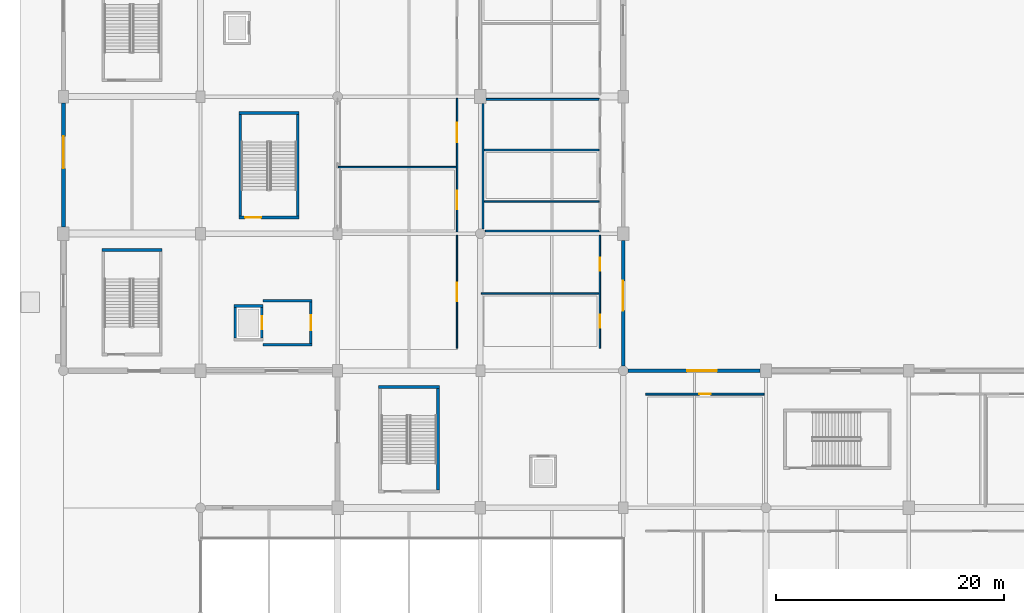
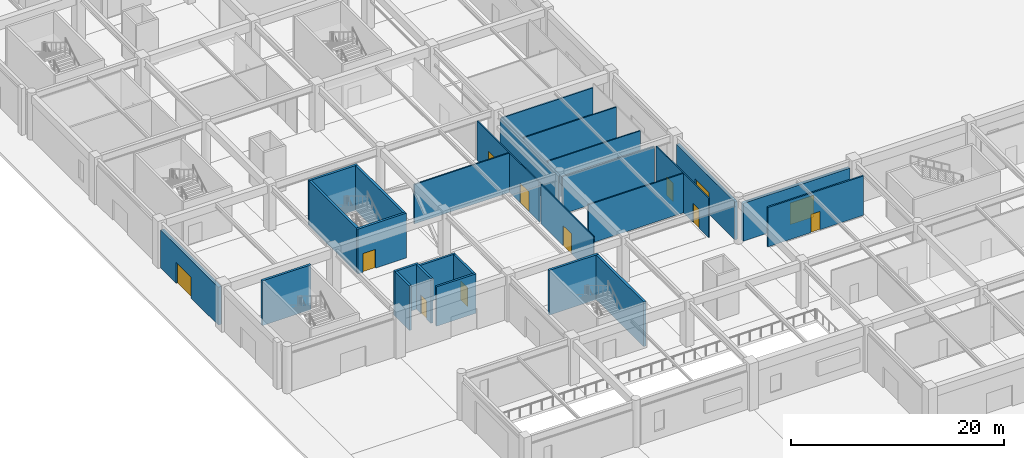
# One storey, part 15 of 69: 27 walls, 12 doors, 12 openings.
"""IFC4 building model written with IfcOpenShell, lengths in metres."""

from ifc_helpers import new_model, si_unit, direction, frame, frame_2d, origin, place, context, subcontext, project, spatial, rectangle, extrude, material, layer, layer_set, type_object, element, fill, save


model = new_model("IFC4")

# Units and contexts
model_context = context("Model", 3, precision=1e-05, world=origin(), true_north=direction((0.0, 1.0)))
body_context = subcontext(model_context, "Body", "Model", "MODEL_VIEW")
ifc_project = project(units=[si_unit("LENGTHUNIT", "METRE"), si_unit("AREAUNIT", "SQUARE_METRE"), si_unit("VOLUMEUNIT", "CUBIC_METRE"), si_unit("PLANEANGLEUNIT", "RADIAN"), si_unit("MASSUNIT", "GRAM", prefix="KILO")], contexts=[model_context])

# Site, building, storey
site_placement = place(None, origin())
site = spatial("IfcSite", under=ifc_project, at=site_placement, CompositionType="ELEMENT")
building_placement = place(site_placement, origin())
building = spatial("IfcBuilding", under=site, at=building_placement, Name="Kazenohara Klinker Stadium", CompositionType="ELEMENT")
storey_placement = place(building_placement, origin())
storey = spatial("IfcBuildingStorey", under=building, at=storey_placement, Name="L00", CompositionType="ELEMENT", Elevation=0.0)

# Walls
ifc_material_1 = material(Name="Concrete C40/50", Category="concrete")
ifc_layer_1 = layer(ifc_material_1, 0.22998046875)
ifc_layer_set_1 = layer_set([ifc_layer_1], Name="Concrete C40/50")
wall_type_1 = type_object("IfcWallType", Name="WAL-CORE-230", PredefinedType="SHEAR", material=ifc_layer_set_1)
wall_1_placement = place(storey_placement, frame((14.919921875, 41.6650390625, 0.0), z_axis=(0.0, 0.0, 1.0), x_axis=(1.0, 0.0, 0.0)))
element("IfcWall", 1, at=wall_1_placement, inside=storey, type_object=wall_type_1, Name="Elevator shaft wall LF01 L00 North", PredefinedType="SHEAR", context=body_context, shape_type="SweptSolid", body=[
    extrude(rectangle(XDim=2.56005859375, YDim=0.22998046875, at=frame_2d((1.280029296875, 0.0))), origin(), (0.0, 0.0, 1.0), 5.139892578125),
])
wall_2_placement = place(storey_placement, frame((15.034912109375, 38.85009765625, 0.0), z_axis=(0.0, 0.0, 1.0), x_axis=(0.0, 1.0, 0.0)))
element("IfcWall", 2, at=wall_2_placement, inside=storey, type_object=wall_type_1, Name="Elevator shaft wall LF01 L00 West", PredefinedType="SHEAR", context=body_context, shape_type="SweptSolid", body=[
    extrude(rectangle(XDim=2.699951171875, YDim=0.22998046875, at=frame_2d((1.35009765625, 0.0))), origin(), (0.0, 0.0, 1.0), 5.139892578125),
])

# Wall, opening, door
wall_3_placement = place(storey_placement, frame((17.364990234375, 38.85009765625, 0.0), z_axis=(0.0, 0.0, 1.0), x_axis=(0.0, 1.0, 0.0)))
wall_3 = element("IfcWall", 3, at=wall_3_placement, inside=storey, type_object=wall_type_1, Name="Elevator shaft wall LF01 L00 East", PredefinedType="SHEAR", context=body_context, shape_type="SweptSolid", body=[
    extrude(rectangle(XDim=2.699951171875, YDim=0.22998046875, at=frame_2d((1.35009765625, 0.0))), origin(), (0.0, 0.0, 1.0), 5.139892578125),
])
opening_1_placement = place(wall_3_placement, frame((0.800048828125, 0.0, 0.0)))
opening_1 = element("IfcOpeningElement", 4, at=opening_1_placement, cuts=wall_3, Name="Opening LD01", PredefinedType="OPENING", context=body_context, shape_type="SweptSolid", body=[
    extrude(rectangle(XDim=1.10009765625, YDim=2.14990234375, at=frame_2d((0.550048828125, 1.074951171875))), frame((0.0, 0.125, 0.0), z_axis=(0.0, -1.0, 0.0), x_axis=(1.0, 0.0, 0.0)), (0.0, 0.0, 1.0), 0.25),
])
ifc_material_2 = material(Name="Stainless steel fire-rated sliding landing door", Category="steel")
door_type_1 = type_object("IfcDoorType", Name="DR-LD01-1100x2150", OperationType="NOTDEFINED", PredefinedType="DOOR", material=ifc_material_2)
door_1_placement = place(opening_1_placement, origin())
door_1 = element("IfcDoor", 5, at=door_1_placement, inside=storey, type_object=door_type_1, Name="Elevator sliding landing door LF01-L00", OperationType="DOUBLE_DOOR_SLIDING", OverallHeight=2.14990234375, OverallWidth=1.10009765625, PredefinedType="DOOR", context=body_context, shape_type="SweptSolid", body=[
    extrude(rectangle(XDim=1.10009765625, YDim=2.14990234375, at=frame_2d((0.550048828125, 1.074951171875))), frame((0.0, 0.02490234375, 0.0), z_axis=(0.0, -1.0, 0.0), x_axis=(1.0, 0.0, 0.0)), (0.0, 0.0, 1.0), 0.050048828125),
])
fill(opening_1, door_1)

# Walls
ifc_layer_2 = layer(ifc_material_1, 0.25)
ifc_layer_set_2 = layer_set([ifc_layer_2], Name="Concrete C40/50")
wall_type_2 = type_object("IfcWallType", Name="WAL-CORE-250", PredefinedType="SHEAR", material=ifc_layer_set_2)
wall_4_placement = place(storey_placement, frame((3.360107421875, 46.574951171875, 0.0), z_axis=(0.0, 0.0, 1.0), x_axis=(1.0, 0.0, 0.0)))
element("IfcWall", 6, at=wall_4_placement, inside=storey, type_object=wall_type_2, Name="Stairwell shear wall ST01 L00 North", PredefinedType="SHEAR", context=body_context, shape_type="SweptSolid", body=[
    extrude(rectangle(XDim=5.27978515625, YDim=0.25, at=frame_2d((2.639892578125, 0.0))), origin(), (0.0, 0.0, 1.0), 5.139892578125),
])
wall_5_placement = place(storey_placement, frame((27.580078125, 34.574951171875, 0.0), z_axis=(0.0, 0.0, 1.0), x_axis=(1.0, 0.0, 0.0)))
element("IfcWall", 7, at=wall_5_placement, inside=storey, type_object=wall_type_2, Name="Stairwell shear wall ST07 L00 North", PredefinedType="SHEAR", context=body_context, shape_type="SweptSolid", body=[
    extrude(rectangle(XDim=5.33984375, YDim=0.25, at=frame_2d((2.669921875, 0.0))), origin(), (0.0, 0.0, 1.0), 5.139892578125),
])
wall_6_placement = place(storey_placement, frame((32.794921875, 25.550048828125, 0.0), z_axis=(0.0, 0.0, 1.0), x_axis=(0.0, 1.0, 0.0)))
element("IfcWall", 8, at=wall_6_placement, inside=storey, type_object=wall_type_2, Name="Stairwell shear wall ST07 L00 East", PredefinedType="SHEAR", context=body_context, shape_type="SweptSolid", body=[
    extrude(rectangle(XDim=8.89990234375, YDim=0.25, at=frame_2d((4.449951171875, 0.0))), origin(), (0.0, 0.0, 1.0), 5.139892578125),
])

# Wall, opening, door
wall_7_placement = place(storey_placement, frame((15.360107421875, 49.425048828125, 0.0), z_axis=(0.0, 0.0, 1.0), x_axis=(1.0, 0.0, 0.0)))
wall_7 = element("IfcWall", 9, at=wall_7_placement, inside=storey, type_object=wall_type_2, Name="Stairwell shear wall ST13 L00 South", PredefinedType="SHEAR", context=body_context, shape_type="SweptSolid", body=[
    extrude(rectangle(XDim=5.27978515625, YDim=0.25, at=frame_2d((2.639892578125, 0.0))), origin(), (0.0, 0.0, 1.0), 5.139892578125),
])
opening_2_placement = place(wall_7_placement, frame((0.550048828125, 0.0, 0.0)))
opening_2 = element("IfcOpeningElement", 10, at=opening_2_placement, cuts=wall_7, Name="Opening SD01", PredefinedType="OPENING", context=body_context, shape_type="SweptSolid", body=[
    extrude(rectangle(XDim=1.39990234375, YDim=2.14990234375, at=frame_2d((0.699951171875, 1.074951171875))), frame((0.0, 0.135009765625, 0.0), z_axis=(0.0, -1.0, 0.0), x_axis=(1.0, 0.0, 0.0)), (0.0, 0.0, 1.0), 0.27001953125),
])
ifc_material_3 = material(Name="Flush painted steel fire door leaf", Category="steel")
door_type_2 = type_object("IfcDoorType", Name="DR-STR-1400x2150", OperationType="NOTDEFINED", PredefinedType="DOOR", material=ifc_material_3)
door_2_placement = place(opening_2_placement, origin())
door_2 = element("IfcDoor", 11, at=door_2_placement, inside=storey, type_object=door_type_2, Name="Escape stairwell fire door ST13-L00", OperationType="SINGLE_SWING_LEFT", OverallHeight=2.14990234375, OverallWidth=1.39990234375, PredefinedType="DOOR", context=body_context, shape_type="SweptSolid", body=[
    extrude(rectangle(XDim=1.39990234375, YDim=2.14990234375, at=frame_2d((0.699951171875, 1.074951171875))), frame((0.0, 0.02490234375, 0.0), z_axis=(0.0, -1.0, 0.0), x_axis=(1.0, 0.0, 0.0)), (0.0, 0.0, 1.0), 0.050048828125),
])
fill(opening_2, door_2)

# Walls
wall_8_placement = place(storey_placement, frame((15.360107421875, 58.574951171875, 0.0), z_axis=(0.0, 0.0, 1.0), x_axis=(1.0, 0.0, 0.0)))
element("IfcWall", 12, at=wall_8_placement, inside=storey, type_object=wall_type_2, Name="Stairwell shear wall ST13 L00 North", PredefinedType="SHEAR", context=body_context, shape_type="SweptSolid", body=[
    extrude(rectangle(XDim=5.27978515625, YDim=0.25, at=frame_2d((2.639892578125, 0.0))), origin(), (0.0, 0.0, 1.0), 5.139892578125),
])
for number, where, z_axis, x_axis, name in (
    (13, (15.485107421875, 49.550048828125, 0.0), (0.0, 0.0, 1.0), (0.0, 1.0, 0.0), "Stairwell shear wall ST13 L00 West"),
    (14, (20.514892578125, 49.550048828125, 0.0), (0.0, 0.0, 1.0), (0.0, 1.0, 0.0), "Stairwell shear wall ST13 L00 East"),
):
    element("IfcWall", number, at=place(storey_placement, frame(where, z_axis=z_axis, x_axis=x_axis)), inside=storey, type_object=wall_type_2, Name=name, PredefinedType="SHEAR", context=body_context, shape_type="SweptSolid", body=[
        extrude(rectangle(XDim=8.89990234375, YDim=0.25, at=frame_2d((4.449951171875, 0.0))), origin(), (0.0, 0.0, 1.0), 5.139892578125),
    ])

# Wall, opening, door
ifc_material_4 = material(Name="Clinker brick masonry", Category="masonry")
ifc_layer_3 = layer(ifc_material_4, 0.31005859375)
ifc_layer_set_3 = layer_set([ifc_layer_3], Name="Clinker brick masonry")
wall_type_3 = type_object("IfcWallType", Name="WAL-EXT-CB310", PredefinedType="SOLIDWALL", material=ifc_layer_set_3)
wall_9_placement = place(storey_placement, frame((49.0, 36.428955078125, 0.0), z_axis=(0.0, 0.0, 1.0), x_axis=(0.0, 1.0, 0.0)))
wall_9 = element("IfcWall", 15, at=wall_9_placement, inside=storey, type_object=wall_type_3, Name="Clinker brick cavity wall EW05 L00 Y4-3", PredefinedType="SOLIDWALL", context=body_context, shape_type="SweptSolid", body=[
    extrude(rectangle(XDim=10.967041015625, YDim=0.31005859375, at=frame_2d((5.4833984375, 0.0))), origin(), (0.0, 0.0, 1.0), 4.340087890625),
])
opening_3_placement = place(wall_9_placement, frame((7.441650390625, 0.0, 0.0), z_axis=(0.0, 0.0, 1.0), x_axis=(-1.0, 0.0, 0.0)))
opening_3 = element("IfcOpeningElement", 16, at=opening_3_placement, cuts=wall_9, Name="Opening VP01", PredefinedType="OPENING", context=body_context, shape_type="SweptSolid", body=[
    extrude(rectangle(XDim=2.60009765625, YDim=2.5, at=frame_2d((1.300048828125, 1.25))), frame((0.0, 0.1650390625, 0.0), z_axis=(0.0, -1.0, 0.0), x_axis=(1.0, 0.0, 0.0)), (0.0, 0.0, 1.0), 0.330078125),
])
ifc_material_5 = material(Name="Anodised aluminium acoustic portal leaf", Category="aluminium")
door_type_3 = type_object("IfcDoorType", Name="DR-VOM-2600x2500", OperationType="NOTDEFINED", PredefinedType="DOOR", material=ifc_material_5)
door_3_placement = place(opening_3_placement, origin())
door_3 = element("IfcDoor", 17, at=door_3_placement, inside=storey, type_object=door_type_3, Name="Lower bowl vomitory portal door VP01", OperationType="DOUBLE_DOOR_SINGLE_SWING", OverallHeight=2.5, OverallWidth=2.60009765625, PredefinedType="DOOR", context=body_context, shape_type="SweptSolid", body=[
    extrude(rectangle(XDim=2.60009765625, YDim=2.5, at=frame_2d((1.300048828125, 1.25))), frame((0.0, 0.02490234375, 0.0), z_axis=(0.0, -1.0, 0.0), x_axis=(1.0, 0.0, 0.0)), (0.0, 0.0, 1.0), 0.050048828125),
])
fill(opening_3, door_3)

ifc_layer_4 = layer(ifc_material_4, 0.340087890625)
ifc_layer_set_4 = layer_set([ifc_layer_4], Name="Clinker brick masonry")
wall_type_4 = type_object("IfcWallType", Name="WAL-EXT-CB340", PredefinedType="SOLIDWALL", material=ifc_layer_set_4)
wall_10_placement = place(storey_placement, frame((49.428955078125, 36.0, 0.0), z_axis=(0.0, 0.0, 1.0), x_axis=(1.0, 0.0, 0.0)))
wall_10 = element("IfcWall", 18, at=wall_10_placement, inside=storey, type_object=wall_type_4, Name="Clinker brick cavity wall EW04 L00 X4-3", PredefinedType="SOLIDWALL", context=body_context, shape_type="SweptSolid", body=[
    extrude(rectangle(XDim=11.567138671875, YDim=0.340087890625, at=frame_2d((5.78369140625, 0.0))), origin(), (0.0, 0.0, 1.0), 4.340087890625),
])
opening_4_placement = place(wall_10_placement, frame((5.177490234375, 0.0, 0.0)))
opening_4 = element("IfcOpeningElement", 19, at=opening_4_placement, cuts=wall_10, Name="Opening VP09", PredefinedType="OPENING", context=body_context, shape_type="SweptSolid", body=[
    extrude(rectangle(XDim=2.60009765625, YDim=2.5, at=frame_2d((1.300048828125, 1.25))), frame((0.0, 0.18017578125, 0.0), z_axis=(0.0, -1.0, 0.0), x_axis=(1.0, 0.0, 0.0)), (0.0, 0.0, 1.0), 0.360107421875),
])
door_4_placement = place(opening_4_placement, origin())
door_4 = element("IfcDoor", 20, at=door_4_placement, inside=storey, type_object=door_type_3, Name="Lower bowl vomitory portal door VP09", OperationType="DOUBLE_DOOR_SINGLE_SWING", OverallHeight=2.5, OverallWidth=2.60009765625, PredefinedType="DOOR", context=body_context, shape_type="SweptSolid", body=[
    extrude(rectangle(XDim=2.60009765625, YDim=2.5, at=frame_2d((1.300048828125, 1.25))), frame((0.0, 0.02490234375, 0.0), z_axis=(0.0, -1.0, 0.0), x_axis=(1.0, 0.0, 0.0)), (0.0, 0.0, 1.0), 0.050048828125),
])
fill(opening_4, door_4)

ifc_layer_5 = layer(ifc_material_4, 0.3701171875)
ifc_layer_set_5 = layer_set([ifc_layer_5], Name="Clinker brick masonry")
wall_type_5 = type_object("IfcWallType", Name="WAL-EXT-CB370", PredefinedType="SOLIDWALL", material=ifc_layer_set_5)
wall_11_placement = place(storey_placement, frame((0.0, 48.60400390625, 0.0), z_axis=(0.0, 0.0, 1.0), x_axis=(0.0, 1.0, 0.0)))
wall_11 = element("IfcWall", 21, at=wall_11_placement, inside=storey, type_object=wall_type_5, Name="Clinker brick cavity wall EW03 L00 Y0-4", PredefinedType="SOLIDWALL", context=body_context, shape_type="SweptSolid", body=[
    extrude(rectangle(XDim=10.842041015625, YDim=0.3701171875, at=frame_2d((5.4208984375, 0.0))), origin(), (0.0, 0.0, 1.0), 4.340087890625),
])
opening_5_placement = place(wall_11_placement, frame((5.105224609375, 0.0, 0.0)))
opening_5 = element("IfcOpeningElement", 22, at=opening_5_placement, cuts=wall_11, Name="Opening G03", PredefinedType="OPENING", context=body_context, shape_type="SweptSolid", body=[
    extrude(rectangle(XDim=2.800048828125, YDim=2.39990234375, at=frame_2d((1.39990234375, 1.199951171875))), frame((0.0, 0.195068359375, 0.0), z_axis=(0.0, -1.0, 0.0), x_axis=(1.0, 0.0, 0.0)), (0.0, 0.0, 1.0), 0.39013671875),
])
ifc_material_6 = material(Name="Powder-coated aluminium and laminated safety glass", Category="aluminium")
door_type_4 = type_object("IfcDoorType", Name="DR-GATE-2800x2400", OperationType="NOTDEFINED", PredefinedType="DOOR", material=ifc_material_6)
door_5_placement = place(opening_5_placement, origin())
door_5 = element("IfcDoor", 23, at=door_5_placement, inside=storey, type_object=door_type_4, Name="Pedestrian exit gate G03", OperationType="DOUBLE_DOOR_SINGLE_SWING", OverallHeight=2.39990234375, OverallWidth=2.800048828125, PredefinedType="DOOR", context=body_context, shape_type="SweptSolid", body=[
    extrude(rectangle(XDim=2.800048828125, YDim=2.39990234375, at=frame_2d((1.39990234375, 1.199951171875))), frame((0.0, 0.02490234375, 0.0), z_axis=(0.0, -1.0, 0.0), x_axis=(1.0, 0.0, 0.0)), (0.0, 0.0, 1.0), 0.050048828125),
])
fill(opening_5, door_5)

# Walls
ifc_layer_6 = layer(ifc_material_1, 0.219970703125)
ifc_layer_set_6 = layer_set([ifc_layer_6], Name="Concrete C40/50")
wall_type_6 = type_object("IfcWallType", Name="WAL-INT-FF220", PredefinedType="SOLIDWALL", material=ifc_layer_set_6)
for number, where, z_axis, x_axis, name in (
    (24, (17.47998046875, 38.2900390625, 0.0), (0.0, 0.0, 1.0), (1.0, 0.0, 0.0), "Firefighting lobby wall LF01 L00 South"),
    (25, (17.47998046875, 42.110107421875, 0.0), (0.0, 0.0, 1.0), (1.0, 0.0, 0.0), "Firefighting lobby wall LF01 L00 North"),
):
    element("IfcWall", number, at=place(storey_placement, frame(where, z_axis=z_axis, x_axis=x_axis)), inside=storey, type_object=wall_type_6, Name=name, PredefinedType="SOLIDWALL", context=body_context, shape_type="SweptSolid", body=[
        extrude(rectangle(XDim=4.2900390625, YDim=0.219970703125, at=frame_2d((2.14501953125, 0.0))), origin(), (0.0, 0.0, 1.0), 4.52001953125),
    ])

# Wall, opening, door
wall_12_placement = place(storey_placement, frame((21.659912109375, 38.39990234375, 0.0), z_axis=(0.0, 0.0, 1.0), x_axis=(0.0, 1.0, 0.0)))
wall_12 = element("IfcWall", 26, at=wall_12_placement, inside=storey, type_object=wall_type_6, Name="Firefighting lobby front wall LF01 L00", PredefinedType="SOLIDWALL", context=body_context, shape_type="SweptSolid", body=[
    extrude(rectangle(XDim=3.60009765625, YDim=0.219970703125, at=frame_2d((1.800048828125, 0.0))), origin(), (0.0, 0.0, 1.0), 4.52001953125),
])
opening_6_placement = place(wall_12_placement, frame((1.14990234375, 0.0, 0.0)))
opening_6 = element("IfcOpeningElement", 27, at=opening_6_placement, cuts=wall_12, Name="Opening FD01", PredefinedType="OPENING", context=body_context, shape_type="SweptSolid", body=[
    extrude(rectangle(XDim=1.300048828125, YDim=2.14990234375, at=frame_2d((0.64990234375, 1.074951171875))), frame((0.0, 0.1201171875, 0.0), z_axis=(0.0, -1.0, 0.0), x_axis=(1.0, 0.0, 0.0)), (0.0, 0.0, 1.0), 0.239990234375),
])
ifc_material_7 = material(Name="Smoke-sealed steel fire lobby door", Category="steel")
door_type_5 = type_object("IfcDoorType", Name="DR-FFL-1300x2150", OperationType="NOTDEFINED", PredefinedType="DOOR", material=ifc_material_7)
door_6_placement = place(opening_6_placement, origin())
door_6 = element("IfcDoor", 28, at=door_6_placement, inside=storey, type_object=door_type_5, Name="Firefighting lobby smoke-sealed door LF01-L00", OperationType="SINGLE_SWING_RIGHT", OverallHeight=2.14990234375, OverallWidth=1.300048828125, PredefinedType="DOOR", context=body_context, shape_type="SweptSolid", body=[
    extrude(rectangle(XDim=1.300048828125, YDim=2.14990234375, at=frame_2d((0.64990234375, 1.074951171875))), frame((0.0, 0.02490234375, 0.0), z_axis=(0.0, -1.0, 0.0), x_axis=(1.0, 0.0, 0.0)), (0.0, 0.0, 1.0), 0.050048828125),
])
fill(opening_6, door_6)

ifc_material_8 = material(Name="Fire-rated gypsum board on acoustic studs", Category="gypsum")
ifc_layer_7 = layer(ifc_material_8, 0.110107421875)
ifc_layer_set_7 = layer_set([ifc_layer_7], Name="Fire-rated gypsum board on acoustic studs")
wall_type_7 = type_object("IfcWallType", Name="WAL-INT-P110", PredefinedType="PARTITIONING", material=ifc_layer_set_7)
wall_13_placement = place(storey_placement, frame((34.4599609375, 37.969970703125, 0.0), z_axis=(0.0, 0.0, 1.0), x_axis=(0.0, 1.0, 0.0)))
wall_13 = element("IfcWall", 29, at=wall_13_placement, inside=storey, type_object=wall_type_7, Name="Interior partition wall PT01 SPC-L00-02-03-1-1", PredefinedType="PARTITIONING", context=body_context, shape_type="SweptSolid", body=[
    extrude(rectangle(XDim=9.8701171875, YDim=0.110107421875, at=frame_2d((4.93505859375, 0.0))), origin(), (0.0, 0.0, 1.0), 4.52001953125),
])
opening_7_placement = place(wall_13_placement, frame((4.135009765625, 0.0, 0.0)))
opening_7 = element("IfcOpeningElement", 30, at=opening_7_placement, cuts=wall_13, Name="Opening ID23", PredefinedType="OPENING", context=body_context, shape_type="SweptSolid", body=[
    extrude(rectangle(XDim=1.60009765625, YDim=2.300048828125, at=frame_2d((0.800048828125, 1.14990234375))), frame((0.0, 0.06494140625, 0.0), z_axis=(0.0, -1.0, 0.0), x_axis=(1.0, 0.0, 0.0)), (0.0, 0.0, 1.0), 0.130126953125),
])
ifc_material_9 = material(Name="Painted steel plant fire door", Category="steel")
door_type_6 = type_object("IfcDoorType", Name="DR-INT-23", OperationType="NOTDEFINED", PredefinedType="DOOR", material=ifc_material_9)
door_7_placement = place(opening_7_placement, origin())
door_7 = element("IfcDoor", 31, at=door_7_placement, inside=storey, type_object=door_type_6, Name="Interior door ID23 Supporter Merchandising Retail Shop L00-0203A", OperationType="SINGLE_SWING_RIGHT", OverallHeight=2.300048828125, OverallWidth=1.60009765625, PredefinedType="DOOR", context=body_context, shape_type="SweptSolid", body=[
    extrude(rectangle(XDim=1.60009765625, YDim=2.300048828125, at=frame_2d((0.800048828125, 1.14990234375))), frame((0.0, 0.02490234375, 0.0), z_axis=(0.0, -1.0, 0.0), x_axis=(1.0, 0.0, 0.0)), (0.0, 0.0, 1.0), 0.050048828125),
])
fill(opening_7, door_7)

# Wall, openings, doors
ifc_layer_8 = layer(ifc_material_8, 0.1201171875)
ifc_layer_set_8 = layer_set([ifc_layer_8], Name="Fire-rated gypsum board on acoustic studs")
wall_type_8 = type_object("IfcWallType", Name="WAL-INT-P120", PredefinedType="PARTITIONING", material=ifc_layer_set_8)
wall_14_placement = place(storey_placement, frame((34.4599609375, 48.159912109375, 0.0), z_axis=(0.0, 0.0, 1.0), x_axis=(0.0, 1.0, 0.0)))
wall_14 = element("IfcWall", 32, at=wall_14_placement, inside=storey, type_object=wall_type_8, Name="Interior partition wall PT02 SPC-L00-02-04-1-1", PredefinedType="PARTITIONING", context=body_context, shape_type="SweptSolid", body=[
    extrude(rectangle(XDim=11.68017578125, YDim=0.1201171875, at=frame_2d((5.840087890625, 0.0))), origin(), (0.0, 0.0, 1.0), 4.52001953125),
])
opening_8_placement = place(wall_14_placement, frame((1.96728515625, 0.0, 0.0)))
opening_8 = element("IfcOpeningElement", 33, at=opening_8_placement, cuts=wall_14, Name="Opening ID24", PredefinedType="OPENING", context=body_context, shape_type="SweptSolid", body=[
    extrude(rectangle(XDim=1.64990234375, YDim=2.280029296875, at=frame_2d((0.824951171875, 1.14013671875))), frame((0.0, 0.070068359375, 0.0), z_axis=(0.0, -1.0, 0.0), x_axis=(1.0, 0.0, 0.0)), (0.0, 0.0, 1.0), 0.14013671875),
])
opening_9_placement = place(wall_14_placement, frame((7.8623046875, 0.0, 0.0)))
opening_9 = element("IfcOpeningElement", 34, at=opening_9_placement, cuts=wall_14, Name="Opening ID25", PredefinedType="OPENING", context=body_context, shape_type="SweptSolid", body=[
    extrude(rectangle(XDim=1.699951171875, YDim=2.320068359375, at=frame_2d((0.85009765625, 1.16015625))), frame((0.0, 0.070068359375, 0.0), z_axis=(0.0, -1.0, 0.0), x_axis=(1.0, 0.0, 0.0)), (0.0, 0.0, 1.0), 0.14013671875),
])
door_type_7 = type_object("IfcDoorType", Name="DR-INT-24", OperationType="NOTDEFINED", PredefinedType="DOOR", material=ifc_material_9)
door_8_placement = place(opening_8_placement, origin())
door_8 = element("IfcDoor", 35, at=door_8_placement, inside=storey, type_object=door_type_7, Name="Interior door ID24 Spectator First-Aid Medical Clinic L00-0204A", OperationType="SINGLE_SWING_LEFT", OverallHeight=2.280029296875, OverallWidth=1.64990234375, PredefinedType="DOOR", context=body_context, shape_type="SweptSolid", body=[
    extrude(rectangle(XDim=1.64990234375, YDim=2.280029296875, at=frame_2d((0.824951171875, 1.14013671875))), frame((0.0, 0.02490234375, 0.0), z_axis=(0.0, -1.0, 0.0), x_axis=(1.0, 0.0, 0.0)), (0.0, 0.0, 1.0), 0.050048828125),
])
fill(opening_8, door_8)
door_type_8 = type_object("IfcDoorType", Name="DR-INT-25", OperationType="NOTDEFINED", PredefinedType="DOOR", material=ifc_material_9)
door_9_placement = place(opening_9_placement, origin())
door_9 = element("IfcDoor", 36, at=door_9_placement, inside=storey, type_object=door_type_8, Name="Interior door ID25 Winter-Garden Retail Galleria Boutique L00-0204B", OperationType="SINGLE_SWING_RIGHT", OverallHeight=2.320068359375, OverallWidth=1.699951171875, PredefinedType="DOOR", context=body_context, shape_type="SweptSolid", body=[
    extrude(rectangle(XDim=1.699951171875, YDim=2.320068359375, at=frame_2d((0.85009765625, 1.16015625))), frame((0.0, 0.02490234375, 0.0), z_axis=(0.0, -1.0, 0.0), x_axis=(1.0, 0.0, 0.0)), (0.0, 0.0, 1.0), 0.050048828125),
])
fill(opening_9, door_9)

wall_15_placement = place(storey_placement, frame((46.9599609375, 37.969970703125, 0.0), z_axis=(0.0, 0.0, 1.0), x_axis=(0.0, 1.0, 0.0)))
wall_15 = element("IfcWall", 37, at=wall_15_placement, inside=storey, type_object=wall_type_8, Name="Interior partition wall PT02 SPC-L00-03-03-1-1", PredefinedType="PARTITIONING", context=body_context, shape_type="SweptSolid", body=[
    extrude(rectangle(XDim=9.8701171875, YDim=0.1201171875, at=frame_2d((4.93505859375, 0.0))), origin(), (0.0, 0.0, 1.0), 4.52001953125),
])
opening_10_placement = place(wall_15_placement, frame((1.79345703125, 0.0, 0.0)))
opening_10 = element("IfcOpeningElement", 38, at=opening_10_placement, cuts=wall_15, Name="Opening ID09", PredefinedType="OPENING", context=body_context, shape_type="SweptSolid", body=[
    extrude(rectangle(XDim=1.1201171875, YDim=2.179931640625, at=frame_2d((0.56005859375, 1.08984375))), frame((0.0, 0.070068359375, 0.0), z_axis=(0.0, -1.0, 0.0), x_axis=(1.0, 0.0, 0.0)), (0.0, 0.0, 1.0), 0.14013671875),
])
opening_11_placement = place(wall_15_placement, frame((6.79345703125, 0.0, 0.0)))
opening_11 = element("IfcOpeningElement", 39, at=opening_11_placement, cuts=wall_15, Name="Opening ID10", PredefinedType="OPENING", context=body_context, shape_type="SweptSolid", body=[
    extrude(rectangle(XDim=1.14990234375, YDim=2.14990234375, at=frame_2d((0.574951171875, 1.074951171875))), frame((0.0, 0.070068359375, 0.0), z_axis=(0.0, -1.0, 0.0), x_axis=(1.0, 0.0, 0.0)), (0.0, 0.0, 1.0), 0.14013671875),
])
ifc_material_10 = material(Name="Solid-core Hokkaido oak fire door", Category="wood")
door_type_9 = type_object("IfcDoorType", Name="DR-INT-09", OperationType="NOTDEFINED", PredefinedType="DOOR", material=ifc_material_10)
door_10_placement = place(opening_10_placement, origin())
door_10 = element("IfcDoor", 40, at=door_10_placement, inside=storey, type_object=door_type_9, Name="Interior door ID09 Supporter Merchandising Retail Shop L00-0303A", OperationType="SINGLE_SWING_RIGHT", OverallHeight=2.179931640625, OverallWidth=1.1201171875, PredefinedType="DOOR", context=body_context, shape_type="SweptSolid", body=[
    extrude(rectangle(XDim=1.1201171875, YDim=2.179931640625, at=frame_2d((0.56005859375, 1.08984375))), frame((0.0, 0.02490234375, 0.0), z_axis=(0.0, -1.0, 0.0), x_axis=(1.0, 0.0, 0.0)), (0.0, 0.0, 1.0), 0.050048828125),
])
fill(opening_10, door_10)
door_type_10 = type_object("IfcDoorType", Name="DR-INT-10", OperationType="NOTDEFINED", PredefinedType="DOOR", material=ifc_material_10)
door_11_placement = place(opening_11_placement, origin())
door_11 = element("IfcDoor", 41, at=door_11_placement, inside=storey, type_object=door_type_10, Name="Interior door ID10 Concourse Craft Beverage Tavern L00-0303B", OperationType="SINGLE_SWING_LEFT", OverallHeight=2.14990234375, OverallWidth=1.14990234375, PredefinedType="DOOR", context=body_context, shape_type="SweptSolid", body=[
    extrude(rectangle(XDim=1.14990234375, YDim=2.14990234375, at=frame_2d((0.574951171875, 1.074951171875))), frame((0.0, 0.02490234375, 0.0), z_axis=(0.0, -1.0, 0.0), x_axis=(1.0, 0.0, 0.0)), (0.0, 0.0, 1.0), 0.050048828125),
])
fill(opening_11, door_11)

# Walls
wall_16_placement = place(storey_placement, frame((36.840087890625, 50.830322265625, 0.0), z_axis=(0.0, 0.0, 1.0), x_axis=(1.0, 0.0, 0.0)))
element("IfcWall", 42, at=wall_16_placement, inside=storey, type_object=wall_type_8, Name="Interior partition wall PT02 SPC-L00-03-04-1-5", PredefinedType="PARTITIONING", context=body_context, shape_type="SweptSolid", body=[
    extrude(rectangle(XDim=10.059814453125, YDim=0.1201171875, at=frame_2d((5.02978515625, 0.0))), origin(), (0.0, 0.0, 1.0), 4.52001953125),
])
ifc_layer_9 = layer(ifc_material_8, 0.139892578125)
ifc_layer_set_9 = layer_set([ifc_layer_9], Name="Fire-rated gypsum board on acoustic studs")
wall_type_9 = type_object("IfcWallType", Name="WAL-INT-P140", PredefinedType="PARTITIONING", material=ifc_layer_set_9)
for number, where, z_axis, x_axis, name in (
    (43, (24.080078125, 53.82470703125, 0.0), (0.0, 0.0, 1.0), (1.0, 0.0, 0.0), "Interior partition wall PT03 SPC-L00-02-04-1-2"),
    (44, (36.580078125, 42.757080078125, 0.0), (0.0, 0.0, 1.0), (1.0, 0.0, 0.0), "Interior partition wall PT03 SPC-L00-03-03-1-2"),
):
    element("IfcWall", number, at=place(storey_placement, frame(where, z_axis=z_axis, x_axis=x_axis)), inside=storey, type_object=wall_type_9, Name=name, PredefinedType="PARTITIONING", context=body_context, shape_type="SweptSolid", body=[
        extrude(rectangle(XDim=10.31494140625, YDim=0.139892578125, at=frame_2d((5.157470703125, 0.0))), origin(), (0.0, 0.0, 1.0), 4.52001953125),
    ])
wall_17_placement = place(storey_placement, frame((36.840087890625, 55.3251953125, 0.0), z_axis=(0.0, 0.0, 1.0), x_axis=(1.0, 0.0, 0.0)))
element("IfcWall", 45, at=wall_17_placement, inside=storey, type_object=wall_type_9, Name="Interior partition wall PT03 SPC-L00-03-04-1-6", PredefinedType="PARTITIONING", context=body_context, shape_type="SweptSolid", body=[
    extrude(rectangle(XDim=10.059814453125, YDim=0.139892578125, at=frame_2d((5.02978515625, 0.0))), origin(), (0.0, 0.0, 1.0), 4.52001953125),
])
ifc_layer_10 = layer(ifc_material_8, 0.14990234375)
ifc_layer_set_10 = layer_set([ifc_layer_10], Name="Fire-rated gypsum board on acoustic studs")
wall_type_10 = type_object("IfcWallType", Name="WAL-INT-P150", PredefinedType="PARTITIONING", material=ifc_layer_set_10)
wall_18_placement = place(storey_placement, frame((36.928955078125, 48.239990234375, 0.0), z_axis=(0.0, 0.0, 1.0), x_axis=(1.0, 0.0, 0.0)))
element("IfcWall", 46, at=wall_18_placement, inside=storey, type_object=wall_type_10, Name="Interior partition wall PT04 SPC-L00-03-04-1-1", PredefinedType="PARTITIONING", context=body_context, shape_type="SweptSolid", body=[
    extrude(rectangle(XDim=9.970947265625, YDim=0.14990234375, at=frame_2d((4.9853515625, 0.0))), origin(), (0.0, 0.0, 1.0), 4.300048828125),
])
ifc_layer_11 = layer(ifc_material_8, 0.169921875)
ifc_layer_set_11 = layer_set([ifc_layer_11], Name="Fire-rated gypsum board on acoustic studs")
wall_type_11 = type_object("IfcWallType", Name="WAL-INT-P170", PredefinedType="PARTITIONING", material=ifc_layer_set_11)
wall_19_placement = place(storey_placement, frame((37.00390625, 59.760009765625, 0.0), z_axis=(0.0, 0.0, 1.0), x_axis=(1.0, 0.0, 0.0)))
element("IfcWall", 47, at=wall_19_placement, inside=storey, type_object=wall_type_11, Name="Interior partition wall PT05 SPC-L00-03-04-1-2", PredefinedType="PARTITIONING", context=body_context, shape_type="SweptSolid", body=[
    extrude(rectangle(XDim=9.89599609375, YDim=0.169921875, at=frame_2d((4.947998046875, 0.0))), origin(), (0.0, 0.0, 1.0), 4.050048828125),
])

# Wall, opening, door
wall_20_placement = place(storey_placement, frame((50.969970703125, 33.9599609375, 0.0), z_axis=(0.0, 0.0, 1.0), x_axis=(1.0, 0.0, 0.0)))
wall_20 = element("IfcWall", 48, at=wall_20_placement, inside=storey, type_object=wall_type_11, Name="Interior partition wall PT05 SPC-L00-04-02-1-1", PredefinedType="PARTITIONING", context=body_context, shape_type="SweptSolid", body=[
    extrude(rectangle(XDim=10.3701171875, YDim=0.169921875, at=frame_2d((5.18505859375, 0.0))), origin(), (0.0, 0.0, 1.0), 4.52001953125),
])
opening_12_placement = place(wall_20_placement, frame((5.675048828125, 0.0, 0.0), z_axis=(0.0, 0.0, 1.0), x_axis=(-1.0, 0.0, 0.0)))
opening_12 = element("IfcOpeningElement", 49, at=opening_12_placement, cuts=wall_20, Name="Opening ID04", PredefinedType="OPENING", context=body_context, shape_type="SweptSolid", body=[
    extrude(rectangle(XDim=0.97998046875, YDim=2.10009765625, at=frame_2d((0.489990234375, 1.050048828125))), frame((0.0, 0.094970703125, 0.0), z_axis=(0.0, -1.0, 0.0), x_axis=(1.0, 0.0, 0.0)), (0.0, 0.0, 1.0), 0.18994140625),
])
door_type_11 = type_object("IfcDoorType", Name="DR-INT-04", OperationType="NOTDEFINED", PredefinedType="DOOR", material=ifc_material_10)
door_12_placement = place(opening_12_placement, origin())
door_12 = element("IfcDoor", 50, at=door_12_placement, inside=storey, type_object=door_type_11, Name="Interior door ID04 Spectator First-Aid Medical Clinic L00-0402A", OperationType="SINGLE_SWING_LEFT", OverallHeight=2.10009765625, OverallWidth=0.97998046875, PredefinedType="DOOR", context=body_context, shape_type="SweptSolid", body=[
    extrude(rectangle(XDim=0.97998046875, YDim=2.10009765625, at=frame_2d((0.489990234375, 1.050048828125))), frame((0.0, 0.02490234375, 0.0), z_axis=(0.0, -1.0, 0.0), x_axis=(1.0, 0.0, 0.0)), (0.0, 0.0, 1.0), 0.050048828125),
])
fill(opening_12, door_12)

# Wall
ifc_layer_12 = layer(ifc_material_8, 0.18994140625)
ifc_layer_set_12 = layer_set([ifc_layer_12], Name="Fire-rated gypsum board on acoustic studs")
wall_type_12 = type_object("IfcWallType", Name="WAL-INT-P190", PredefinedType="PARTITIONING", material=ifc_layer_set_12)
wall_21_placement = place(storey_placement, frame((36.739990234375, 48.428955078125, 0.0), z_axis=(0.0, 0.0, 1.0), x_axis=(0.0, 1.0, 0.0)))
element("IfcWall", 51, at=wall_21_placement, inside=storey, type_object=wall_type_12, Name="Interior partition wall PT06 SPC-L00-03-04-1-3", PredefinedType="PARTITIONING", context=body_context, shape_type="SweptSolid", body=[
    extrude(rectangle(XDim=10.967041015625, YDim=0.18994140625, at=frame_2d((5.4833984375, 0.0))), origin(), (0.0, 0.0, 1.0), 4.300048828125),
])

save(model, "model.ifc")
